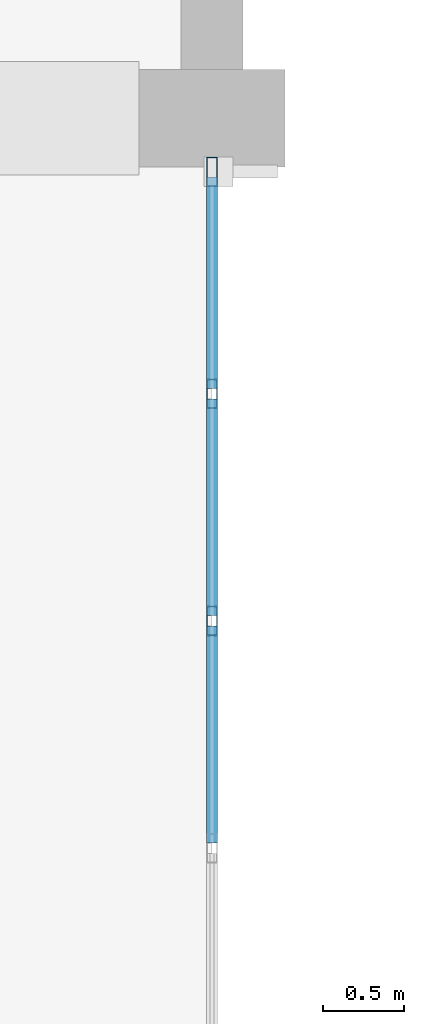
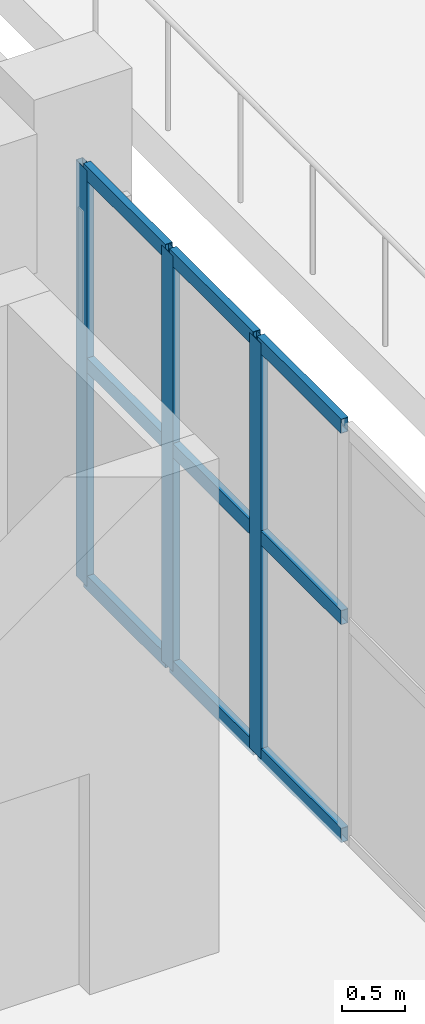
# One storey, part 19 of 62: 12 members, 1 element without a shape of its own.
"""IFC4 building model written with IfcOpenShell, lengths in metres."""

from ifc_helpers import new_model, si_unit, direction, frame, origin, origin_2d, place, context, subcontext, project, spatial, hollow_rectangle, extrude, material, layer, layer_set, material_profile, profile_set, type_object, element, aggregate, save


model = new_model("IFC4")

# Units and contexts
model_context = context("Model", 3, precision=1e-05, world=origin(), true_north=direction((0.0, 1.0)))
body_context = subcontext(model_context, "Body", "Model", "MODEL_VIEW")
ifc_project = project(units=[si_unit("LENGTHUNIT", "METRE"), si_unit("AREAUNIT", "SQUARE_METRE"), si_unit("VOLUMEUNIT", "CUBIC_METRE"), si_unit("PLANEANGLEUNIT", "RADIAN"), si_unit("MASSUNIT", "GRAM", prefix="KILO")], contexts=[model_context])

# Site, building, storey
site_placement = place(None, origin())
site = spatial("IfcSite", under=ifc_project, at=site_placement, CompositionType="ELEMENT")
building_placement = place(site_placement, origin())
building = spatial("IfcBuilding", under=site, at=building_placement, Name="Vaelkrest Opera House", CompositionType="ELEMENT")
storey_placement = place(building_placement, frame((0.0, 0.0, 19.800048828125)))
storey = spatial("IfcBuildingStorey", under=building, at=storey_placement, Name="L04", CompositionType="ELEMENT", Elevation=19.800048828125)

# Curtain wall, members
ifc_material = material(Name="Dark bronze anodized aluminium", Category="aluminium")
ifc_layer = layer(ifc_material, 0.179931640625)
ifc_layer_set = layer_set([ifc_layer], Name="Dark bronze anodized aluminium")
curtain_wall_type = type_object("IfcCurtainWallType", Name="CW01", PredefinedType="NOTDEFINED", material=ifc_layer_set)
curtain_wall_placement = place(storey_placement, origin())
curtain_wall = element("IfcCurtainWall", 1, at=curtain_wall_placement, inside=storey, type_object=curtain_wall_type, Name="Curtain wall CW-L04-066", PredefinedType="NOTDEFINED")
ifc_material_profile_1 = material_profile(ifc_material, hollow_rectangle(XDim=0.06494140625, YDim=0.179931640625, WallThickness=0.00390625, at=origin_2d()), Name="CWM65X180")
ifc_profile_set_1 = profile_set([ifc_material_profile_1], Name="Dark bronze anodized aluminium")
member_type_1 = type_object("IfcMemberType", Name="CWM01", PredefinedType="MULLION", material=ifc_profile_set_1)
member_1_placement = place(storey_placement, frame((30.0, -20.130615234375, 0.0), z_axis=(0.0, 0.0, 1.0), x_axis=(1.0, 0.0, 0.0)))
member_1 = element("IfcMember", 2, at=member_1_placement, type_object=member_type_1, Name="CW01 mullion 1", PredefinedType="MULLION", context=body_context, shape_type="SweptSolid", body=[
    extrude(hollow_rectangle(XDim=0.06494140625, YDim=0.179931640625, WallThickness=0.00390625, at=origin_2d()), origin(), (0.0, 0.0, 1.0), 4.04296875),
])
member_2_placement = place(storey_placement, frame((30.0, -21.498779296875, 0.0), z_axis=(0.0, 0.0, 1.0), x_axis=(1.0, 0.0, 0.0)))
member_2 = element("IfcMember", 3, at=member_2_placement, type_object=member_type_1, Name="CW01 mullion 2", PredefinedType="MULLION", context=body_context, shape_type="SweptSolid", body=[
    extrude(hollow_rectangle(XDim=0.06494140625, YDim=0.179931640625, WallThickness=0.00390625, at=origin_2d()), origin(), (0.0, 0.0, 1.0), 4.04296875),
])
member_3_placement = place(storey_placement, frame((30.0, -22.8994140625, 0.0), z_axis=(0.0, 0.0, 1.0), x_axis=(1.0, 0.0, 0.0)))
member_3 = element("IfcMember", 4, at=member_3_placement, type_object=member_type_1, Name="CW01 mullion 3", PredefinedType="MULLION", context=body_context, shape_type="SweptSolid", body=[
    extrude(hollow_rectangle(XDim=0.06494140625, YDim=0.179931640625, WallThickness=0.00390625, at=origin_2d()), origin(), (0.0, 0.0, 1.0), 4.04296875),
])
ifc_material_profile_2 = material_profile(ifc_material, hollow_rectangle(XDim=0.06494140625, YDim=0.139892578125, WallThickness=0.00390625, at=origin_2d()), Name="CWT65X140")
ifc_profile_set_2 = profile_set([ifc_material_profile_2], Name="Dark bronze anodized aluminium")
member_type_2 = type_object("IfcMemberType", Name="CWT01", PredefinedType="USERDEFINED", material=ifc_profile_set_2)
member_4_placement = place(storey_placement, frame((30.0, -20.1630859375, 0.032470703125), z_axis=(0.0, -1.0, 0.0), x_axis=(1.0, 0.0, 0.0)))
member_4 = element("IfcMember", 5, at=member_4_placement, type_object=member_type_2, Name="CW01 transom 1.1", ObjectType="TRANSOM", PredefinedType="USERDEFINED", context=body_context, shape_type="SweptSolid", body=[
    extrude(hollow_rectangle(XDim=0.06494140625, YDim=0.139892578125, WallThickness=0.00390625, at=origin_2d()), origin(), (0.0, 0.0, 1.0), 1.302978515625),
])
member_5_placement = place(storey_placement, frame((30.0, -20.1630859375, 2.14990234375), z_axis=(0.0, -1.0, 0.0), x_axis=(1.0, 0.0, 0.0)))
member_5 = element("IfcMember", 6, at=member_5_placement, type_object=member_type_2, Name="CW01 transom 1.2", ObjectType="TRANSOM", PredefinedType="USERDEFINED", context=body_context, shape_type="SweptSolid", body=[
    extrude(hollow_rectangle(XDim=0.06494140625, YDim=0.139892578125, WallThickness=0.00390625, at=origin_2d()), origin(), (0.0, 0.0, 1.0), 1.302978515625),
])
member_6_placement = place(storey_placement, frame((30.0, -20.1630859375, 4.010498046875), z_axis=(0.0, -1.0, 0.0), x_axis=(1.0, 0.0, 0.0)))
member_6 = element("IfcMember", 7, at=member_6_placement, type_object=member_type_2, Name="CW01 transom 1.3", ObjectType="TRANSOM", PredefinedType="USERDEFINED", context=body_context, shape_type="SweptSolid", body=[
    extrude(hollow_rectangle(XDim=0.06494140625, YDim=0.139892578125, WallThickness=0.00390625, at=origin_2d()), origin(), (0.0, 0.0, 1.0), 1.302978515625),
])
member_7_placement = place(storey_placement, frame((30.0, -21.53125, 0.032470703125), z_axis=(0.0, -1.0, 0.0), x_axis=(1.0, 0.0, 0.0)))
member_7 = element("IfcMember", 8, at=member_7_placement, type_object=member_type_2, Name="CW01 transom 2.1", ObjectType="TRANSOM", PredefinedType="USERDEFINED", context=body_context, shape_type="SweptSolid", body=[
    extrude(hollow_rectangle(XDim=0.06494140625, YDim=0.139892578125, WallThickness=0.00390625, at=origin_2d()), origin(), (0.0, 0.0, 1.0), 1.335693359375),
])
member_8_placement = place(storey_placement, frame((30.0, -21.53125, 2.14990234375), z_axis=(0.0, -1.0, 0.0), x_axis=(1.0, 0.0, 0.0)))
member_8 = element("IfcMember", 9, at=member_8_placement, type_object=member_type_2, Name="CW01 transom 2.2", ObjectType="TRANSOM", PredefinedType="USERDEFINED", context=body_context, shape_type="SweptSolid", body=[
    extrude(hollow_rectangle(XDim=0.06494140625, YDim=0.139892578125, WallThickness=0.00390625, at=origin_2d()), origin(), (0.0, 0.0, 1.0), 1.335693359375),
])
member_9_placement = place(storey_placement, frame((30.0, -21.53125, 4.010498046875), z_axis=(0.0, -1.0, 0.0), x_axis=(1.0, 0.0, 0.0)))
member_9 = element("IfcMember", 10, at=member_9_placement, type_object=member_type_2, Name="CW01 transom 2.3", ObjectType="TRANSOM", PredefinedType="USERDEFINED", context=body_context, shape_type="SweptSolid", body=[
    extrude(hollow_rectangle(XDim=0.06494140625, YDim=0.139892578125, WallThickness=0.00390625, at=origin_2d()), origin(), (0.0, 0.0, 1.0), 1.335693359375),
])
member_10_placement = place(storey_placement, frame((30.0, -22.931884765625, 0.032470703125), z_axis=(0.0, -1.0, 0.0), x_axis=(1.0, 0.0, 0.0)))
member_10 = element("IfcMember", 11, at=member_10_placement, type_object=member_type_2, Name="CW01 transom 3.1", ObjectType="TRANSOM", PredefinedType="USERDEFINED", context=body_context, shape_type="SweptSolid", body=[
    extrude(hollow_rectangle(XDim=0.06494140625, YDim=0.139892578125, WallThickness=0.00390625, at=origin_2d()), origin(), (0.0, 0.0, 1.0), 1.335693359375),
])
member_11_placement = place(storey_placement, frame((30.0, -22.931884765625, 2.14990234375), z_axis=(0.0, -1.0, 0.0), x_axis=(1.0, 0.0, 0.0)))
member_11 = element("IfcMember", 12, at=member_11_placement, type_object=member_type_2, Name="CW01 transom 3.2", ObjectType="TRANSOM", PredefinedType="USERDEFINED", context=body_context, shape_type="SweptSolid", body=[
    extrude(hollow_rectangle(XDim=0.06494140625, YDim=0.139892578125, WallThickness=0.00390625, at=origin_2d()), origin(), (0.0, 0.0, 1.0), 1.335693359375),
])
member_12_placement = place(storey_placement, frame((30.0, -22.931884765625, 4.010498046875), z_axis=(0.0, -1.0, 0.0), x_axis=(1.0, 0.0, 0.0)))
member_12 = element("IfcMember", 13, at=member_12_placement, type_object=member_type_2, Name="CW01 transom 3.3", ObjectType="TRANSOM", PredefinedType="USERDEFINED", context=body_context, shape_type="SweptSolid", body=[
    extrude(hollow_rectangle(XDim=0.06494140625, YDim=0.139892578125, WallThickness=0.00390625, at=origin_2d()), origin(), (0.0, 0.0, 1.0), 1.335693359375),
])
aggregate(curtain_wall, [member_1, member_2, member_3, member_4, member_5, member_6, member_7, member_8, member_9, member_10, member_11, member_12])

save(model, "model.ifc")
